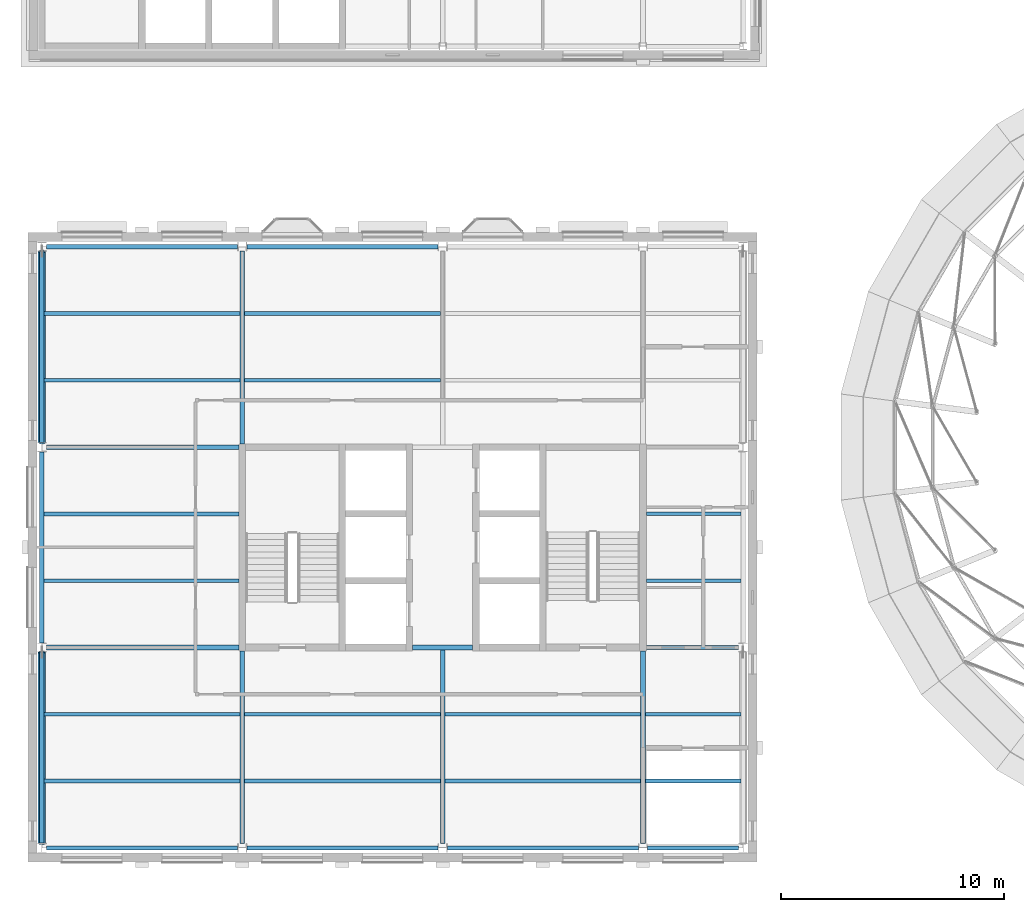
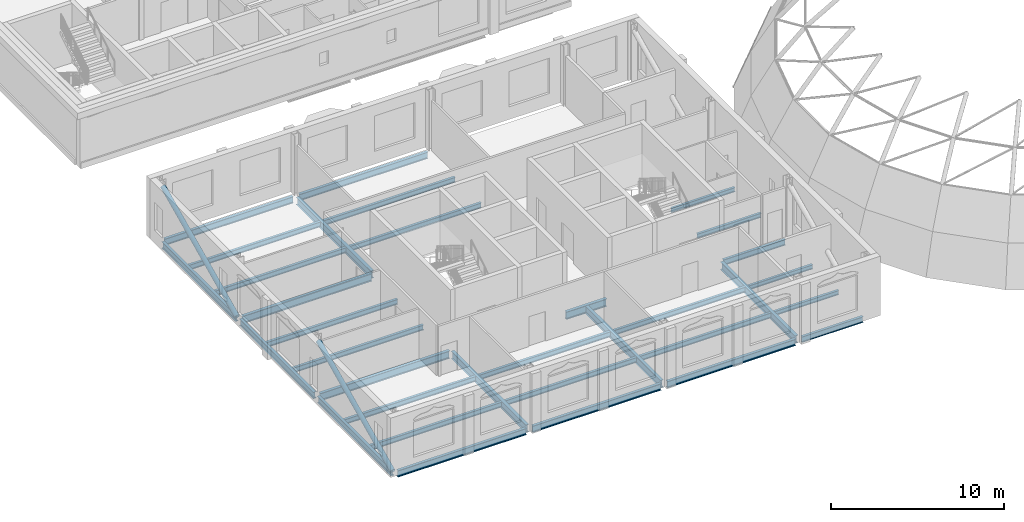
# One storey, part 4 of 62: 33 beams, 2 members.
"""IFC4 building model written with IfcOpenShell, lengths in metres."""

from ifc_helpers import new_model, si_unit, direction, frame, origin, origin_2d, place, context, subcontext, project, spatial, hollow_circle, i_section, extrude, material, material_profile, profile_set, type_object, element, save


model = new_model("IFC4")

# Units and contexts
model_context = context("Model", 3, precision=1e-05, world=origin(), true_north=direction((0.0, 1.0)))
body_context = subcontext(model_context, "Body", "Model", "MODEL_VIEW")
ifc_project = project(units=[si_unit("LENGTHUNIT", "METRE"), si_unit("AREAUNIT", "SQUARE_METRE"), si_unit("VOLUMEUNIT", "CUBIC_METRE"), si_unit("PLANEANGLEUNIT", "RADIAN"), si_unit("MASSUNIT", "GRAM", prefix="KILO")], contexts=[model_context])

# Site, building, storey
site_placement = place(None, origin())
site = spatial("IfcSite", under=ifc_project, at=site_placement, CompositionType="ELEMENT")
building_placement = place(site_placement, origin())
building = spatial("IfcBuilding", under=site, at=building_placement, Name="Hortulan Conservatory and Botanical Research Centre", CompositionType="ELEMENT")
storey_placement = place(building_placement, frame((0.0, 0.0, 15.0)))
storey = spatial("IfcBuildingStorey", under=building, at=storey_placement, Name="L03", CompositionType="ELEMENT", Elevation=15.0)

# Members
ifc_material_1 = material(Name="Steel Grade C350L0 (350 MPa, AS/NZS 1163)", Category="steel")
ifc_material_profile_1 = material_profile(ifc_material_1, hollow_circle(Radius=0.161865234375, WallThickness=0.009521484375, at=origin_2d()), Name="323.9x9.5CHS")
ifc_profile_set_1 = profile_set([ifc_material_profile_1], Name="Steel Grade C350L0 (350 MPa, AS/NZS 1163)")
member_type = type_object("IfcMemberType", Name="Brace 323.9x9.5CHS", PredefinedType="BRACE", material=ifc_profile_set_1)
for number, where, z_axis, x_axis, name in (
    (1, (0.0, 0.2109375, -0.261474609375), (0.0, 0.906191046553, 0.422868522293), (-1.0, 0.0, 0.0), "323.9x9.5CHS brace"),
    (2, (0.0, 18.2109375, -0.261474609375), (0.0, 0.906191046553, 0.422868522293), (-1.0, 0.0, 0.0), "323.9x9.5CHS brace"),
):
    element("IfcMember", number, at=place(storey_placement, frame(where, z_axis=z_axis, x_axis=x_axis)), inside=storey, type_object=member_type, Name=name, PredefinedType="BRACE", context=body_context, shape_type="SweptSolid", body=[
        extrude(hollow_circle(Radius=0.161865234375, WallThickness=0.009521484375, at=origin_2d()), origin(), (0.0, 0.0, 1.0), 9.466064453125),
    ])

# Beams
ifc_material_2 = material(Name="Steel Grade 300PLUS (AS/NZS 3679.1, 280 MPa minimum yield)", Category="steel")
ifc_material_profile_2 = material_profile(ifc_material_2, i_section(OverallWidth=0.177978515625, OverallDepth=0.403076171875, WebThickness=0.007568359375, FlangeThickness=0.010986328125, FilletRadius=0.011474609375, at=origin_2d()), Name="410UB53.7")
ifc_profile_set_2 = profile_set([ifc_material_profile_2], Name="Steel Grade 300PLUS (AS/NZS 3679.1, 280 MPa minimum yield)")
beam_type_1 = type_object("IfcBeamType", Name="Primary Beam 410UB53.7", PredefinedType="BEAM", material=ifc_profile_set_2)
beam_1_placement = place(storey_placement, frame((27.2109375, 0.0, -0.33154296875), z_axis=(1.0, 0.0, 0.0), x_axis=(0.0, 1.0, 0.0)))
element("IfcBeam", 3, at=beam_1_placement, inside=storey, type_object=beam_type_1, Name="410UB53.7 girder", PredefinedType="BEAM", context=body_context, shape_type="SweptSolid", body=[
    extrude(i_section(OverallWidth=0.177978515625, OverallDepth=0.403076171875, WebThickness=0.007568359375, FlangeThickness=0.010986328125, FilletRadius=0.011474609375, at=origin_2d()), origin(), (0.0, 0.0, 1.0), 4.089111328125),
])
beam_2_placement = place(storey_placement, frame((27.14990234375, 9.0, -0.33154296875), z_axis=(1.0, 0.0, 0.0), x_axis=(0.0, 1.0, 0.0)))
element("IfcBeam", 4, at=beam_2_placement, inside=storey, type_object=beam_type_1, Name="410UB53.7 girder", PredefinedType="BEAM", context=body_context, shape_type="SweptSolid", body=[
    extrude(i_section(OverallWidth=0.177978515625, OverallDepth=0.403076171875, WebThickness=0.007568359375, FlangeThickness=0.010986328125, FilletRadius=0.011474609375, at=origin_2d()), origin(), (0.0, 0.0, 1.0), 4.150146484375),
])
ifc_material_profile_3 = material_profile(ifc_material_2, i_section(OverallWidth=0.19091796875, OverallDepth=0.4599609375, WebThickness=0.010009765625, FlangeThickness=0.01611328125, FilletRadius=0.011474609375, at=origin_2d()), Name="460UB82.1")
ifc_profile_set_3 = profile_set([ifc_material_profile_3], Name="Steel Grade 300PLUS (AS/NZS 3679.1, 280 MPa minimum yield)")
beam_type_2 = type_object("IfcBeamType", Name="Primary Beam 460UB82.1", PredefinedType="BEAM", material=ifc_profile_set_3)
beam_3_placement = place(storey_placement, frame((0.0, 0.2109375, -0.360107421875), z_axis=(0.0, 1.0, 0.0), x_axis=(-1.0, 0.0, 0.0)))
element("IfcBeam", 5, at=beam_3_placement, inside=storey, type_object=beam_type_2, Name="460UB82.1 girder", PredefinedType="BEAM", context=body_context, shape_type="SweptSolid", body=[
    extrude(i_section(OverallWidth=0.19091796875, OverallDepth=0.4599609375, WebThickness=0.010009765625, FlangeThickness=0.01611328125, FilletRadius=0.011474609375, at=origin_2d()), origin(), (0.0, 0.0, 1.0), 8.578125),
])
beam_4_placement = place(storey_placement, frame((0.199951171875, 0.0, -0.360107421875), z_axis=(1.0, 0.0, 0.0), x_axis=(0.0, 1.0, 0.0)))
element("IfcBeam", 6, at=beam_4_placement, inside=storey, type_object=beam_type_2, Name="460UB82.1 girder", PredefinedType="BEAM", context=body_context, shape_type="SweptSolid", body=[
    extrude(i_section(OverallWidth=0.19091796875, OverallDepth=0.4599609375, WebThickness=0.010009765625, FlangeThickness=0.01611328125, FilletRadius=0.011474609375, at=origin_2d()), origin(), (0.0, 0.0, 1.0), 8.589111328125),
])
for number, where, z_axis, x_axis, name in (
    (7, (0.0, 9.2109375, -0.360107421875), (0.0, 1.0, 0.0), (-1.0, 0.0, 0.0), "460UB82.1 girder"),
    (8, (0.0, 18.2109375, -0.360107421875), (0.0, 1.0, 0.0), (-1.0, 0.0, 0.0), "460UB82.1 girder"),
):
    element("IfcBeam", number, at=place(storey_placement, frame(where, z_axis=z_axis, x_axis=x_axis)), inside=storey, type_object=beam_type_2, Name=name, PredefinedType="BEAM", context=body_context, shape_type="SweptSolid", body=[
        extrude(i_section(OverallWidth=0.19091796875, OverallDepth=0.4599609375, WebThickness=0.010009765625, FlangeThickness=0.01611328125, FilletRadius=0.011474609375, at=origin_2d()), origin(), (0.0, 0.0, 1.0), 8.578125),
    ])
beam_5_placement = place(storey_placement, frame((0.199951171875, 27.0, -0.360107421875), z_axis=(1.0, 0.0, 0.0), x_axis=(0.0, 1.0, 0.0)))
element("IfcBeam", 9, at=beam_5_placement, inside=storey, type_object=beam_type_2, Name="460UB82.1 girder", PredefinedType="BEAM", context=body_context, shape_type="SweptSolid", body=[
    extrude(i_section(OverallWidth=0.19091796875, OverallDepth=0.4599609375, WebThickness=0.010009765625, FlangeThickness=0.01611328125, FilletRadius=0.011474609375, at=origin_2d()), origin(), (0.0, 0.0, 1.0), 8.589111328125),
])
for number, where, z_axis, x_axis, name in (
    (10, (9.2109375, 0.0, -0.360107421875), (1.0, 0.0, 0.0), (0.0, 1.0, 0.0), "460UB82.1 girder"),
    (11, (9.2109375, 27.0, -0.360107421875), (1.0, 0.0, 0.0), (0.0, 1.0, 0.0), "460UB82.1 girder"),
    (12, (18.2109375, 0.0, -0.360107421875), (1.0, 0.0, 0.0), (0.0, 1.0, 0.0), "460UB82.1 girder"),
):
    element("IfcBeam", number, at=place(storey_placement, frame(where, z_axis=z_axis, x_axis=x_axis)), inside=storey, type_object=beam_type_2, Name=name, PredefinedType="BEAM", context=body_context, shape_type="SweptSolid", body=[
        extrude(i_section(OverallWidth=0.19091796875, OverallDepth=0.4599609375, WebThickness=0.010009765625, FlangeThickness=0.01611328125, FilletRadius=0.011474609375, at=origin_2d()), origin(), (0.0, 0.0, 1.0), 8.578125),
    ])
ifc_material_profile_4 = material_profile(ifc_material_2, i_section(OverallWidth=0.208984375, OverallDepth=0.532958984375, WebThickness=0.01025390625, FlangeThickness=0.015625, FilletRadius=0.013916015625, at=origin_2d()), Name="530UB92.4")
ifc_profile_set_4 = profile_set([ifc_material_profile_4], Name="Steel Grade 300PLUS (AS/NZS 3679.1, 280 MPa minimum yield)")
beam_type_3 = type_object("IfcBeamType", Name="Primary Beam 530UB92.4", PredefinedType="BEAM", material=ifc_profile_set_4)
for number, where, z_axis, x_axis, name in (
    (13, (0.199951171875, 9.0, -0.396484375), (1.0, 0.0, 0.0), (0.0, 1.0, 0.0), "530UB92.4 girder"),
    (14, (0.199951171875, 18.0, -0.396484375), (1.0, 0.0, 0.0), (0.0, 1.0, 0.0), "530UB92.4 girder"),
    (15, (9.0, 0.199951171875, -0.396484375), (0.0, 1.0, 0.0), (-1.0, 0.0, 0.0), "530UB92.4 girder"),
    (16, (9.0, 18.14990234375, -0.396484375), (0.0, 1.0, 0.0), (-1.0, 0.0, 0.0), "530UB92.4 girder"),
):
    element("IfcBeam", number, at=place(storey_placement, frame(where, z_axis=z_axis, x_axis=x_axis)), inside=storey, type_object=beam_type_3, Name=name, PredefinedType="BEAM", context=body_context, shape_type="SweptSolid", body=[
        extrude(i_section(OverallWidth=0.208984375, OverallDepth=0.532958984375, WebThickness=0.01025390625, FlangeThickness=0.015625, FilletRadius=0.013916015625, at=origin_2d()), origin(), (0.0, 0.0, 1.0), 8.650146484375),
    ])
beam_6_placement = place(storey_placement, frame((16.64990234375, 9.0, -0.396484375), z_axis=(1.0, 0.0, 0.0), x_axis=(0.0, 1.0, 0.0)))
element("IfcBeam", 17, at=beam_6_placement, inside=storey, type_object=beam_type_3, Name="530UB92.4 girder", PredefinedType="BEAM", context=body_context, shape_type="SweptSolid", body=[
    extrude(i_section(OverallWidth=0.208984375, OverallDepth=0.532958984375, WebThickness=0.01025390625, FlangeThickness=0.015625, FilletRadius=0.013916015625, at=origin_2d()), origin(), (0.0, 0.0, 1.0), 2.7001953125),
])
beam_7_placement = place(storey_placement, frame((18.0, 0.199951171875, -0.396484375), z_axis=(0.0, 1.0, 0.0), x_axis=(-1.0, 0.0, 0.0)))
element("IfcBeam", 18, at=beam_7_placement, inside=storey, type_object=beam_type_3, Name="530UB92.4 girder", PredefinedType="BEAM", context=body_context, shape_type="SweptSolid", body=[
    extrude(i_section(OverallWidth=0.208984375, OverallDepth=0.532958984375, WebThickness=0.01025390625, FlangeThickness=0.015625, FilletRadius=0.013916015625, at=origin_2d()), origin(), (0.0, 0.0, 1.0), 8.800048828125),
])
beam_8_placement = place(storey_placement, frame((27.0, 0.199951171875, -0.396484375), z_axis=(0.0, 1.0, 0.0), x_axis=(-1.0, 0.0, 0.0)))
element("IfcBeam", 19, at=beam_8_placement, inside=storey, type_object=beam_type_3, Name="530UB92.4 girder", PredefinedType="BEAM", context=body_context, shape_type="SweptSolid", body=[
    extrude(i_section(OverallWidth=0.208984375, OverallDepth=0.532958984375, WebThickness=0.01025390625, FlangeThickness=0.015625, FilletRadius=0.013916015625, at=origin_2d()), origin(), (0.0, 0.0, 1.0), 8.650146484375),
])
ifc_material_profile_5 = material_profile(ifc_material_2, i_section(OverallWidth=0.1650390625, OverallDepth=0.303955078125, WebThickness=0.006103515625, FlangeThickness=0.01025390625, FilletRadius=0.011474609375, at=origin_2d()), Name="310UB40.4")
ifc_profile_set_5 = profile_set([ifc_material_profile_5], Name="Steel Grade 300PLUS (AS/NZS 3679.1, 280 MPa minimum yield)")
beam_type_4 = type_object("IfcBeamType", Name="Secondary Beam 310UB40.4", PredefinedType="JOIST", material=ifc_profile_set_5)
for number, where, z_axis, x_axis, name in (
    (20, (27.1044921875, 3.0, -0.281982421875), (1.0, 0.0, 0.0), (0.0, 1.0, 0.0), "310UB40.4 secondary beam"),
    (21, (27.1044921875, 6.0, -0.281982421875), (1.0, 0.0, 0.0), (0.0, 1.0, 0.0), "310UB40.4 secondary beam"),
):
    element("IfcBeam", number, at=place(storey_placement, frame(where, z_axis=z_axis, x_axis=x_axis)), inside=storey, type_object=beam_type_4, Name=name, PredefinedType="JOIST", context=body_context, shape_type="SweptSolid", body=[
        extrude(i_section(OverallWidth=0.1650390625, OverallDepth=0.303955078125, WebThickness=0.006103515625, FlangeThickness=0.01025390625, FilletRadius=0.011474609375, at=origin_2d()), origin(), (0.0, 0.0, 1.0), 4.300048828125),
    ])
for number, where, z_axis, x_axis, name in (
    (22, (27.14990234375, 12.0, -0.281982421875), (1.0, 0.0, 0.0), (0.0, 1.0, 0.0), "310UB40.4 secondary beam"),
    (23, (27.14990234375, 15.0, -0.281982421875), (1.0, 0.0, 0.0), (0.0, 1.0, 0.0), "310UB40.4 secondary beam"),
):
    element("IfcBeam", number, at=place(storey_placement, frame(where, z_axis=z_axis, x_axis=x_axis)), inside=storey, type_object=beam_type_4, Name=name, PredefinedType="JOIST", context=body_context, shape_type="SweptSolid", body=[
        extrude(i_section(OverallWidth=0.1650390625, OverallDepth=0.303955078125, WebThickness=0.006103515625, FlangeThickness=0.01025390625, FilletRadius=0.011474609375, at=origin_2d()), origin(), (0.0, 0.0, 1.0), 4.254638671875),
    ])
ifc_material_profile_6 = material_profile(ifc_material_2, i_section(OverallWidth=0.172119140625, OverallDepth=0.35888671875, WebThickness=0.008056640625, FlangeThickness=0.012939453125, FilletRadius=0.011474609375, at=origin_2d()), Name="360UB56.7")
ifc_profile_set_6 = profile_set([ifc_material_profile_6], Name="Steel Grade 300PLUS (AS/NZS 3679.1, 280 MPa minimum yield)")
beam_type_5 = type_object("IfcBeamType", Name="Secondary Beam 360UB56.7", PredefinedType="JOIST", material=ifc_profile_set_6)
for number, where, z_axis, x_axis, name in (
    (24, (0.095458984375, 3.0, -0.3095703125), (1.0, 0.0, 0.0), (0.0, 1.0, 0.0), "360UB56.7 secondary beam"),
    (25, (0.095458984375, 6.0, -0.3095703125), (1.0, 0.0, 0.0), (0.0, 1.0, 0.0), "360UB56.7 secondary beam"),
):
    element("IfcBeam", number, at=place(storey_placement, frame(where, z_axis=z_axis, x_axis=x_axis)), inside=storey, type_object=beam_type_5, Name=name, PredefinedType="JOIST", context=body_context, shape_type="SweptSolid", body=[
        extrude(i_section(OverallWidth=0.172119140625, OverallDepth=0.35888671875, WebThickness=0.008056640625, FlangeThickness=0.012939453125, FilletRadius=0.011474609375, at=origin_2d()), origin(), (0.0, 0.0, 1.0), 8.800048828125),
    ])
for number, where, z_axis, x_axis, name in (
    (26, (0.095458984375, 12.0, -0.3095703125), (1.0, 0.0, 0.0), (0.0, 1.0, 0.0), "360UB56.7 secondary beam"),
    (27, (0.095458984375, 15.0, -0.3095703125), (1.0, 0.0, 0.0), (0.0, 1.0, 0.0), "360UB56.7 secondary beam"),
):
    element("IfcBeam", number, at=place(storey_placement, frame(where, z_axis=z_axis, x_axis=x_axis)), inside=storey, type_object=beam_type_5, Name=name, PredefinedType="JOIST", context=body_context, shape_type="SweptSolid", body=[
        extrude(i_section(OverallWidth=0.172119140625, OverallDepth=0.35888671875, WebThickness=0.008056640625, FlangeThickness=0.012939453125, FilletRadius=0.011474609375, at=origin_2d()), origin(), (0.0, 0.0, 1.0), 8.754638671875),
    ])
for number, where, z_axis, x_axis, name in (
    (28, (0.095458984375, 21.0, -0.3095703125), (1.0, 0.0, 0.0), (0.0, 1.0, 0.0), "360UB56.7 secondary beam"),
    (29, (0.095458984375, 24.0, -0.3095703125), (1.0, 0.0, 0.0), (0.0, 1.0, 0.0), "360UB56.7 secondary beam"),
):
    element("IfcBeam", number, at=place(storey_placement, frame(where, z_axis=z_axis, x_axis=x_axis)), inside=storey, type_object=beam_type_5, Name=name, PredefinedType="JOIST", context=body_context, shape_type="SweptSolid", body=[
        extrude(i_section(OverallWidth=0.172119140625, OverallDepth=0.35888671875, WebThickness=0.008056640625, FlangeThickness=0.012939453125, FilletRadius=0.011474609375, at=origin_2d()), origin(), (0.0, 0.0, 1.0), 8.800048828125),
    ])
for number, where, z_axis, x_axis, name in (
    (30, (9.1044921875, 3.0, -0.3095703125), (1.0, 0.0, 0.0), (0.0, 1.0, 0.0), "360UB56.7 secondary beam"),
    (31, (9.1044921875, 6.0, -0.3095703125), (1.0, 0.0, 0.0), (0.0, 1.0, 0.0), "360UB56.7 secondary beam"),
    (32, (9.1044921875, 21.0, -0.3095703125), (1.0, 0.0, 0.0), (0.0, 1.0, 0.0), "360UB56.7 secondary beam"),
    (33, (9.1044921875, 24.0, -0.3095703125), (1.0, 0.0, 0.0), (0.0, 1.0, 0.0), "360UB56.7 secondary beam"),
    (34, (18.1044921875, 3.0, -0.3095703125), (1.0, 0.0, 0.0), (0.0, 1.0, 0.0), "360UB56.7 secondary beam"),
    (35, (18.1044921875, 6.0, -0.3095703125), (1.0, 0.0, 0.0), (0.0, 1.0, 0.0), "360UB56.7 secondary beam"),
):
    element("IfcBeam", number, at=place(storey_placement, frame(where, z_axis=z_axis, x_axis=x_axis)), inside=storey, type_object=beam_type_5, Name=name, PredefinedType="JOIST", context=body_context, shape_type="SweptSolid", body=[
        extrude(i_section(OverallWidth=0.172119140625, OverallDepth=0.35888671875, WebThickness=0.008056640625, FlangeThickness=0.012939453125, FilletRadius=0.011474609375, at=origin_2d()), origin(), (0.0, 0.0, 1.0), 8.791015625),
    ])

save(model, "model.ifc")
